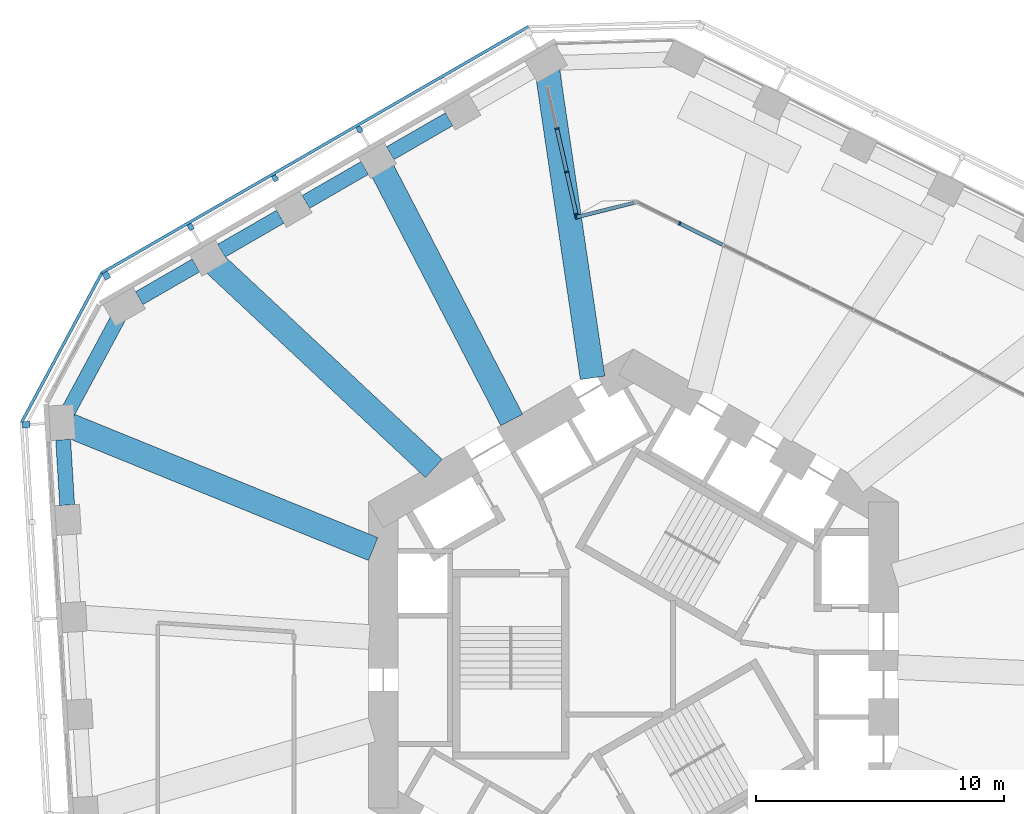
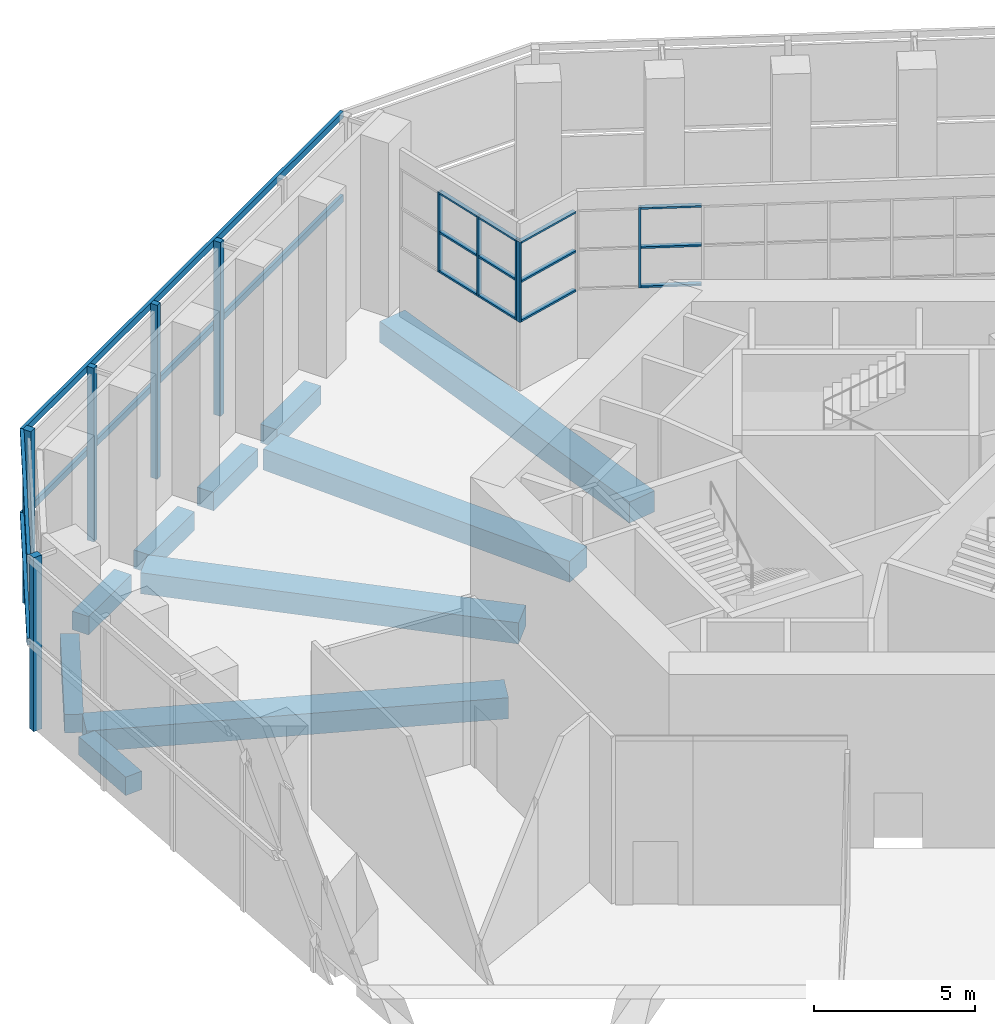
# One storey, part 3 of 17: 26 members, 10 beams, 6 elements without a shape of their own.
"""IFC4 building model written with IfcOpenShell, lengths in metres."""

from ifc_helpers import new_model, si_unit, direction, frame, origin, origin_2d, place, context, subcontext, project, spatial, rectangle, extrude, material, material_profile, profile_set, type_object, element, aggregate, save


model = new_model("IFC4")

# Units and contexts
model_context = context("Model", 3, precision=1e-05, world=origin(), true_north=direction((0.0, 1.0)))
body_context = subcontext(model_context, "Body", "Model", "MODEL_VIEW")
ifc_project = project(units=[si_unit("LENGTHUNIT", "METRE"), si_unit("AREAUNIT", "SQUARE_METRE"), si_unit("VOLUMEUNIT", "CUBIC_METRE"), si_unit("PLANEANGLEUNIT", "RADIAN"), si_unit("MASSUNIT", "GRAM", prefix="KILO")], contexts=[model_context])

# Site, building, storey
site_placement = place(None, origin())
site = spatial("IfcSite", under=ifc_project, at=site_placement, CompositionType="ELEMENT")
building_placement = place(site_placement, origin())
building = spatial("IfcBuilding", under=site, at=building_placement, Name="Vanh Sen Convention Tower", CompositionType="ELEMENT")
storey_placement = place(building_placement, frame((0.0, 0.0, 77.0)))
storey = spatial("IfcBuildingStorey", under=building, at=storey_placement, Name="L17", CompositionType="ELEMENT", Elevation=77.0)

# Curtain wall, members
ifc_material_1 = material(Name="Aluminium structural glazing system", Category="aluminium")
curtain_wall_type_1 = type_object("IfcCurtainWallType", Name="Sky garden structural glazing", PredefinedType="NOTDEFINED", material=ifc_material_1)
curtain_wall_1_placement = place(storey_placement, origin())
curtain_wall_1 = element("IfcCurtainWall", 1, at=curtain_wall_1_placement, inside=storey, type_object=curtain_wall_type_1, Name="Winter garden glazing 1 L17", PredefinedType="NOTDEFINED")
ifc_material_2 = material(Name="Aluminium mullion", Category="aluminium")
ifc_material_profile_1 = material_profile(ifc_material_2, rectangle(XDim=0.14990234375, YDim=0.070068359375, at=origin_2d()), Name="Garden glazing mullion 70 x 150")
ifc_profile_set_1 = profile_set([ifc_material_profile_1], Name="Aluminium mullion")
member_type_1 = type_object("IfcMemberType", Name="Garden glazing mullion 70 x 150", PredefinedType="MULLION", material=ifc_profile_set_1)
member_1_placement = place(storey_placement, frame((-3.086669921875, 21.24609375, 2.60009765625), z_axis=(0.0, 0.0, 1.0), x_axis=(0.975399237411, 0.220445747654, 0.0)))
member_1 = element("IfcMember", 2, at=member_1_placement, type_object=member_type_1, Name="CW5 mullion 2", PredefinedType="MULLION", context=body_context, shape_type="SweptSolid", body=[
    extrude(rectangle(XDim=0.14990234375, YDim=0.070068359375, at=origin_2d()), origin(), (0.0, 0.0, 1.0), 3.0498046875),
])
member_2_placement = place(storey_placement, frame((-2.692626953125, 19.502685546875, 2.60009765625), z_axis=(0.0, 0.0, 1.0), x_axis=(0.975399237411, 0.220445747654, 0.0)))
member_2 = element("IfcMember", 3, at=member_2_placement, type_object=member_type_1, Name="CW5 mullion 3", PredefinedType="MULLION", context=body_context, shape_type="SweptSolid", body=[
    extrude(rectangle(XDim=0.14990234375, YDim=0.070068359375, at=origin_2d()), origin(), (0.0, 0.0, 1.0), 3.0498046875),
])
member_3_placement = place(storey_placement, frame((-2.30615234375, 17.79345703125, 2.60009765625), z_axis=(0.0, 0.0, 1.0), x_axis=(0.975399237411, 0.220445747654, 0.0)))
member_3 = element("IfcMember", 4, at=member_3_placement, type_object=member_type_1, Name="CW5 mullion 4", PredefinedType="MULLION", context=body_context, shape_type="SweptSolid", body=[
    extrude(rectangle(XDim=0.14990234375, YDim=0.070068359375, at=origin_2d()), origin(), (0.0, 0.0, 1.0), 3.0498046875),
])

# Curtain wall, member
curtain_wall_2_placement = place(storey_placement, origin())
curtain_wall_2 = element("IfcCurtainWall", 5, at=curtain_wall_2_placement, inside=storey, type_object=curtain_wall_type_1, Name="Winter garden glazing 2 L17", PredefinedType="NOTDEFINED")
member_4_placement = place(storey_placement, frame((-2.317138671875, 17.667724609375, 2.60009765625), z_axis=(0.0, 0.0, 1.0), x_axis=(-0.243834843024, 0.969816771007, 0.0)))
member_4 = element("IfcMember", 6, at=member_4_placement, type_object=member_type_1, Name="CW5 mullion 1", PredefinedType="MULLION", context=body_context, shape_type="SweptSolid", body=[
    extrude(rectangle(XDim=0.14990234375, YDim=0.070068359375, at=origin_2d()), origin(), (0.0, 0.0, 1.0), 3.0498046875),
])

curtain_wall_3_placement = place(storey_placement, origin())
curtain_wall_3 = element("IfcCurtainWall", 7, at=curtain_wall_3_placement, inside=storey, type_object=curtain_wall_type_1, Name="Winter garden glazing 3 L17", PredefinedType="NOTDEFINED")
member_5_placement = place(storey_placement, frame((1.868408203125, 17.421875, 2.60009765625), z_axis=(0.0, 0.0, 1.0), x_axis=(0.446203047714, 0.894931751706, 0.0)))
member_5 = element("IfcMember", 8, at=member_5_placement, type_object=member_type_1, Name="CW5 mullion 2", PredefinedType="MULLION", context=body_context, shape_type="SweptSolid", body=[
    extrude(rectangle(XDim=0.14990234375, YDim=0.070068359375, at=origin_2d()), origin(), (0.0, 0.0, 1.0), 3.0498046875),
])

# Member
ifc_material_3 = material(Name="Aluminium transom", Category="aluminium")
ifc_material_profile_2 = material_profile(ifc_material_3, rectangle(XDim=0.14990234375, YDim=0.070068359375, at=origin_2d()), Name="Garden glazing transom 150 x 70")
ifc_profile_set_2 = profile_set([ifc_material_profile_2], Name="Aluminium transom")
member_type_2 = type_object("IfcMemberType", Name="Garden glazing transom 150 x 70", PredefinedType="USERDEFINED", material=ifc_profile_set_2)
member_6_placement = place(storey_placement, frame((-3.078857421875, 21.2119140625, 2.635009765625), z_axis=(0.220496491418, -0.975387767645, 0.0), x_axis=(0.975387767645, 0.220496491418, 0.0)))
member_6 = element("IfcMember", 9, at=member_6_placement, type_object=member_type_2, Name="CW5 transom 2.1", ObjectType="TRANSOM", PredefinedType="USERDEFINED", context=body_context, shape_type="SweptSolid", body=[
    extrude(rectangle(XDim=0.14990234375, YDim=0.070068359375, at=origin_2d()), origin(), (0.0, 0.0, 1.0), 1.71728515625),
])

member_7_placement = place(storey_placement, frame((-3.078857421875, 21.2119140625, 4.125), z_axis=(0.220496491418, -0.975387767645, 0.0), x_axis=(0.975387767645, 0.220496491418, 0.0)))
member_7 = element("IfcMember", 10, at=member_7_placement, type_object=member_type_2, Name="CW5 transom 2.2", ObjectType="TRANSOM", PredefinedType="USERDEFINED", context=body_context, shape_type="SweptSolid", body=[
    extrude(rectangle(XDim=0.14990234375, YDim=0.070068359375, at=origin_2d()), origin(), (0.0, 0.0, 1.0), 1.71728515625),
])

member_8_placement = place(storey_placement, frame((-3.078857421875, 21.2119140625, 5.614990234375), z_axis=(0.220496491418, -0.975387767645, 0.0), x_axis=(0.975387767645, 0.220496491418, 0.0)))
member_8 = element("IfcMember", 11, at=member_8_placement, type_object=member_type_2, Name="CW5 transom 2.3", ObjectType="TRANSOM", PredefinedType="USERDEFINED", context=body_context, shape_type="SweptSolid", body=[
    extrude(rectangle(XDim=0.14990234375, YDim=0.070068359375, at=origin_2d()), origin(), (0.0, 0.0, 1.0), 1.71728515625),
])

member_9_placement = place(storey_placement, frame((-2.684814453125, 19.468505859375, 2.635009765625), z_axis=(0.220416750341, -0.975405790514, 0.0), x_axis=(0.975405790514, 0.220416750341, 0.0)))
member_9 = element("IfcMember", 12, at=member_9_placement, type_object=member_type_2, Name="CW5 transom 3.1", ObjectType="TRANSOM", PredefinedType="USERDEFINED", context=body_context, shape_type="SweptSolid", body=[
    extrude(rectangle(XDim=0.14990234375, YDim=0.070068359375, at=origin_2d()), origin(), (0.0, 0.0, 1.0), 1.682373046875),
])

member_10_placement = place(storey_placement, frame((-2.684814453125, 19.468505859375, 4.125), z_axis=(0.220416750341, -0.975405790514, 0.0), x_axis=(0.975405790514, 0.220416750341, 0.0)))
member_10 = element("IfcMember", 13, at=member_10_placement, type_object=member_type_2, Name="CW5 transom 3.2", ObjectType="TRANSOM", PredefinedType="USERDEFINED", context=body_context, shape_type="SweptSolid", body=[
    extrude(rectangle(XDim=0.14990234375, YDim=0.070068359375, at=origin_2d()), origin(), (0.0, 0.0, 1.0), 1.682373046875),
])

member_11_placement = place(storey_placement, frame((-2.684814453125, 19.468505859375, 5.614990234375), z_axis=(0.220416750341, -0.975405790514, 0.0), x_axis=(0.975405790514, 0.220416750341, 0.0)))
member_11 = element("IfcMember", 14, at=member_11_placement, type_object=member_type_2, Name="CW5 transom 3.3", ObjectType="TRANSOM", PredefinedType="USERDEFINED", context=body_context, shape_type="SweptSolid", body=[
    extrude(rectangle(XDim=0.14990234375, YDim=0.070068359375, at=origin_2d()), origin(), (0.0, 0.0, 1.0), 1.682373046875),
])

aggregate(curtain_wall_1, [member_1, member_2, member_3, member_6, member_7, member_8, member_9, member_10, member_11])

member_12_placement = place(storey_placement, frame((-2.283203125, 17.67626953125, 2.635009765625), z_axis=(0.969812838057, 0.243850485215, 0.0), x_axis=(-0.243850485215, 0.969812838057, 0.0)))
member_12 = element("IfcMember", 15, at=member_12_placement, type_object=member_type_2, Name="CW5 transom 1.1", ObjectType="TRANSOM", PredefinedType="USERDEFINED", context=body_context, shape_type="SweptSolid", body=[
    extrude(rectangle(XDim=0.14990234375, YDim=0.070068359375, at=origin_2d()), origin(), (0.0, 0.0, 1.0), 2.35888671875),
])

member_13_placement = place(storey_placement, frame((-2.283203125, 17.67626953125, 4.125), z_axis=(0.969812838057, 0.243850485215, 0.0), x_axis=(-0.243850485215, 0.969812838057, 0.0)))
member_13 = element("IfcMember", 16, at=member_13_placement, type_object=member_type_2, Name="CW5 transom 1.2", ObjectType="TRANSOM", PredefinedType="USERDEFINED", context=body_context, shape_type="SweptSolid", body=[
    extrude(rectangle(XDim=0.14990234375, YDim=0.070068359375, at=origin_2d()), origin(), (0.0, 0.0, 1.0), 2.35888671875),
])

member_14_placement = place(storey_placement, frame((-2.283203125, 17.67626953125, 5.614990234375), z_axis=(0.969812838057, 0.243850485215, 0.0), x_axis=(-0.243850485215, 0.969812838057, 0.0)))
member_14 = element("IfcMember", 17, at=member_14_placement, type_object=member_type_2, Name="CW5 transom 1.3", ObjectType="TRANSOM", PredefinedType="USERDEFINED", context=body_context, shape_type="SweptSolid", body=[
    extrude(rectangle(XDim=0.14990234375, YDim=0.070068359375, at=origin_2d()), origin(), (0.0, 0.0, 1.0), 2.35888671875),
])

aggregate(curtain_wall_2, [member_4, member_12, member_13, member_14])

member_15_placement = place(storey_placement, frame((1.899658203125, 17.40625, 2.635009765625), z_axis=(0.894942709965, -0.446181068492, 0.0), x_axis=(0.446181068492, 0.894942709965, 0.0)))
member_15 = element("IfcMember", 18, at=member_15_placement, type_object=member_type_2, Name="CW5 transom 2.1", ObjectType="TRANSOM", PredefinedType="USERDEFINED", context=body_context, shape_type="SweptSolid", body=[
    extrude(rectangle(XDim=0.14990234375, YDim=0.070068359375, at=origin_2d()), origin(), (0.0, 0.0, 1.0), 1.89208984375),
])

member_16_placement = place(storey_placement, frame((1.899658203125, 17.40625, 4.125), z_axis=(0.894942709965, -0.446181068492, 0.0), x_axis=(0.446181068492, 0.894942709965, 0.0)))
member_16 = element("IfcMember", 19, at=member_16_placement, type_object=member_type_2, Name="CW5 transom 2.2", ObjectType="TRANSOM", PredefinedType="USERDEFINED", context=body_context, shape_type="SweptSolid", body=[
    extrude(rectangle(XDim=0.14990234375, YDim=0.070068359375, at=origin_2d()), origin(), (0.0, 0.0, 1.0), 1.89208984375),
])

member_17_placement = place(storey_placement, frame((1.899658203125, 17.40625, 5.614990234375), z_axis=(0.894942709965, -0.446181068492, 0.0), x_axis=(0.446181068492, 0.894942709965, 0.0)))
member_17 = element("IfcMember", 20, at=member_17_placement, type_object=member_type_2, Name="CW5 transom 2.3", ObjectType="TRANSOM", PredefinedType="USERDEFINED", context=body_context, shape_type="SweptSolid", body=[
    extrude(rectangle(XDim=0.14990234375, YDim=0.070068359375, at=origin_2d()), origin(), (0.0, 0.0, 1.0), 1.89208984375),
])

aggregate(curtain_wall_3, [member_5, member_15, member_16, member_17])

# Curtain wall, member
ifc_material_4 = material(Name="Concrete C50/60", Category="concrete")
curtain_wall_type_2 = type_object("IfcCurtainWallType", Name="Outer skin hotel zone", PredefinedType="NOTDEFINED", material=ifc_material_4)
curtain_wall_4_placement = place(storey_placement, origin())
curtain_wall_4 = element("IfcCurtainWall", 21, at=curtain_wall_4_placement, inside=storey, type_object=curtain_wall_type_2, Name="OUTER SKIN NW L17", PredefinedType="NOTDEFINED")
ifc_material_profile_3 = material_profile(ifc_material_4, rectangle(XDim=0.25, YDim=0.300048828125, at=origin_2d()), Name="Outer skin precast corner fin 250 x 300")
ifc_profile_set_3 = profile_set([ifc_material_profile_3], Name="Concrete C50/60")
member_type_3 = type_object("IfcMemberType", Name="Outer skin precast corner fin 250 x 300", PredefinedType="MULLION", material=ifc_profile_set_3)
member_18_placement = place(storey_placement, frame((-21.2802734375, 15.31103515625, 0.0), z_axis=(0.0, 0.0, 1.0), x_axis=(-0.866025403784, -0.5, 0.0)))
member_18 = element("IfcMember", 22, at=member_18_placement, type_object=member_type_3, Name="OUTER SKIN CORNER FIN 6 NW L17", PredefinedType="MULLION", context=body_context, shape_type="SweptSolid", body=[
    extrude(rectangle(XDim=0.25, YDim=0.300048828125, at=origin_2d()), origin(), (0.0, 0.0, 1.0), 6.60009765625),
])

curtain_wall_5_placement = place(storey_placement, origin())
curtain_wall_5 = element("IfcCurtainWall", 23, at=curtain_wall_5_placement, inside=storey, type_object=curtain_wall_type_2, Name="OUTER SKIN W L17", PredefinedType="NOTDEFINED")
member_19_placement = place(storey_placement, frame((-24.51318359375, 9.294677734375, 0.0), z_axis=(0.0, 0.0, 1.0), x_axis=(0.061048539535, -0.998134798422, 0.0)))
member_19 = element("IfcMember", 24, at=member_19_placement, type_object=member_type_3, Name="OUTER SKIN CORNER FIN 1 W L17", PredefinedType="MULLION", context=body_context, shape_type="SweptSolid", body=[
    extrude(rectangle(XDim=0.25, YDim=0.300048828125, at=origin_2d()), origin(), (0.0, 0.0, 1.0), 6.60009765625),
])
aggregate(curtain_wall_5, [member_19])

# Member
ifc_material_profile_4 = material_profile(ifc_material_4, rectangle(XDim=0.199951171875, YDim=0.25, at=origin_2d()), Name="Outer skin precast fin 200 x 250")
ifc_profile_set_4 = profile_set([ifc_material_profile_4], Name="Concrete C50/60")
member_type_4 = type_object("IfcMemberType", Name="Outer skin precast fin 200 x 250", PredefinedType="MULLION", material=ifc_profile_set_4)
member_20_placement = place(storey_placement, frame((-11.057861328125, 21.212890625, 0.0), z_axis=(0.0, 0.0, 1.0), x_axis=(-0.866025403784, -0.5, 0.0)))
member_20 = element("IfcMember", 25, at=member_20_placement, type_object=member_type_4, Name="OUTER SKIN fin 3 NW L17", PredefinedType="MULLION", context=body_context, shape_type="SweptSolid", body=[
    extrude(rectangle(XDim=0.199951171875, YDim=0.25, at=origin_2d()), origin(), (0.0, 0.0, 1.0), 6.60009765625),
])

member_21_placement = place(storey_placement, frame((-14.46533203125, 19.24560546875, 0.0), z_axis=(0.0, 0.0, 1.0), x_axis=(-0.866025403784, -0.5, 0.0)))
member_21 = element("IfcMember", 26, at=member_21_placement, type_object=member_type_4, Name="OUTER SKIN fin 4 NW L17", PredefinedType="MULLION", context=body_context, shape_type="SweptSolid", body=[
    extrude(rectangle(XDim=0.199951171875, YDim=0.25, at=origin_2d()), origin(), (0.0, 0.0, 1.0), 6.60009765625),
])

member_22_placement = place(storey_placement, frame((-17.872802734375, 17.2783203125, 0.0), z_axis=(0.0, 0.0, 1.0), x_axis=(-0.866025403784, -0.5, 0.0)))
member_22 = element("IfcMember", 27, at=member_22_placement, type_object=member_type_4, Name="OUTER SKIN fin 5 NW L17", PredefinedType="MULLION", context=body_context, shape_type="SweptSolid", body=[
    extrude(rectangle(XDim=0.199951171875, YDim=0.25, at=origin_2d()), origin(), (0.0, 0.0, 1.0), 6.60009765625),
])

ifc_material_profile_5 = material_profile(ifc_material_4, rectangle(XDim=0.1201171875, YDim=0.25, at=origin_2d()), Name="Outer skin precast spandrel band 250 x 120")
ifc_profile_set_5 = profile_set([ifc_material_profile_5], Name="Concrete C50/60")
member_type_5 = type_object("IfcMemberType", Name="Outer skin precast spandrel band 250 x 120", PredefinedType="USERDEFINED", material=ifc_profile_set_5)
member_23_placement = place(storey_placement, frame((-4.227294921875, 25.370361328125, 6.47509765625), z_axis=(-0.866028047459, -0.499995420993, 0.0), x_axis=(0.499995420993, -0.866028047459, 0.0)))
member_23 = element("IfcMember", 28, at=member_23_placement, type_object=member_type_5, Name="OUTER SKIN spandrel band NW L17", ObjectType="TRANSOM", PredefinedType="USERDEFINED", context=body_context, shape_type="SweptSolid", body=[
    extrude(rectangle(XDim=0.1201171875, YDim=0.25, at=origin_2d()), origin(), (0.0, 0.0, 1.0), 19.923095703125),
])

member_24_placement = place(storey_placement, frame((-4.227294921875, 25.370361328125, 3.300048828125), z_axis=(-0.866028047459, -0.499995420993, 0.0), x_axis=(0.499995420993, -0.866028047459, 0.0)))
member_24 = element("IfcMember", 29, at=member_24_placement, type_object=member_type_5, Name="OUTER SKIN spandrel band NW L17 mid", ObjectType="TRANSOM", PredefinedType="USERDEFINED", context=body_context, shape_type="SweptSolid", body=[
    extrude(rectangle(XDim=0.1201171875, YDim=0.25, at=origin_2d()), origin(), (0.0, 0.0, 1.0), 19.923095703125),
])

aggregate(curtain_wall_4, [member_20, member_21, member_22, member_18, member_23, member_24])

# Curtain wall, members
curtain_wall_6_placement = place(storey_placement, origin())
curtain_wall_6 = element("IfcCurtainWall", 30, at=curtain_wall_6_placement, inside=storey, type_object=curtain_wall_type_2, Name="OUTER SKIN CH3 L17", PredefinedType="NOTDEFINED")
member_25_placement = place(storey_placement, frame((-21.46533203125, 15.410400390625, 6.47509765625), z_axis=(-0.473315186561, -0.880893145717, 0.0), x_axis=(0.880893145717, -0.473315186561, 0.0)))
member_25 = element("IfcMember", 31, at=member_25_placement, type_object=member_type_5, Name="OUTER SKIN spandrel band CH3 L17", ObjectType="TRANSOM", PredefinedType="USERDEFINED", context=body_context, shape_type="SweptSolid", body=[
    extrude(rectangle(XDim=0.1201171875, YDim=0.25, at=origin_2d()), origin(), (0.0, 0.0, 1.0), 6.829833984375),
])
member_26_placement = place(storey_placement, frame((-21.46533203125, 15.410400390625, 3.300048828125), z_axis=(-0.473315186561, -0.880893145717, 0.0), x_axis=(0.880893145717, -0.473315186561, 0.0)))
member_26 = element("IfcMember", 32, at=member_26_placement, type_object=member_type_5, Name="OUTER SKIN spandrel band CH3 L17 mid", ObjectType="TRANSOM", PredefinedType="USERDEFINED", context=body_context, shape_type="SweptSolid", body=[
    extrude(rectangle(XDim=0.1201171875, YDim=0.25, at=origin_2d()), origin(), (0.0, 0.0, 1.0), 6.829833984375),
])
aggregate(curtain_wall_6, [member_25, member_26])

# Beams
ifc_material_5 = material(Name="Concrete C50/60", Category="concrete")
ifc_material_profile_6 = material_profile(ifc_material_5, rectangle(XDim=1.0, YDim=0.800048828125, at=origin_2d()), Name="RC 1000X800")
ifc_profile_set_6 = profile_set([ifc_material_profile_6], Name="Concrete C50/60")
beam_type_1 = type_object("IfcBeamType", Name="Radial floor beam 1000 x 800", PredefinedType="BEAM", material=ifc_profile_set_6)
beam_1_placement = place(storey_placement, frame((-3.46923828125, 23.560791015625, -0.75), z_axis=(0.145669310946, -0.989333337075, 0.0), x_axis=(0.989333337075, 0.145669310946, 0.0)))
element("IfcBeam", 33, at=beam_1_placement, inside=storey, type_object=beam_type_1, Name="Radial beam 07 L17", PredefinedType="BEAM", context=body_context, shape_type="SweptSolid", body=[
    extrude(rectangle(XDim=1.0, YDim=0.800048828125, at=origin_2d()), origin(), (0.0, 0.0, 1.0), 12.5078125),
])
beam_2_placement = place(storey_placement, frame((-10.115478515625, 19.53759765625, -0.75), z_axis=(0.459758563435, -0.8880439535, 0.0), x_axis=(0.8880439535, 0.459758563435, 0.0)))
element("IfcBeam", 34, at=beam_2_placement, inside=storey, type_object=beam_type_1, Name="Radial beam 08 L17", PredefinedType="BEAM", context=body_context, shape_type="SweptSolid", body=[
    extrude(rectangle(XDim=1.0, YDim=0.800048828125, at=origin_2d()), origin(), (0.0, 0.0, 1.0), 11.317626953125),
])
beam_3_placement = place(storey_placement, frame((-16.880859375, 15.773193359375, -0.75), z_axis=(0.730669888391, -0.682730923717, 0.0), x_axis=(0.682730923717, 0.730669888391, 0.0)))
element("IfcBeam", 35, at=beam_3_placement, inside=storey, type_object=beam_type_1, Name="Radial beam 09 L17", PredefinedType="BEAM", context=body_context, shape_type="SweptSolid", body=[
    extrude(rectangle(XDim=1.0, YDim=0.800048828125, at=origin_2d()), origin(), (0.0, 0.0, 1.0), 12.074951171875),
])
beam_4_placement = place(storey_placement, frame((-22.779052734375, 9.266357421875, -0.75), z_axis=(0.926290168233, -0.376810992719, 0.0), x_axis=(0.376810992719, 0.926290168233, 0.0)))
element("IfcBeam", 36, at=beam_4_placement, inside=storey, type_object=beam_type_1, Name="Radial beam 10 L17", PredefinedType="BEAM", context=body_context, shape_type="SweptSolid", body=[
    extrude(rectangle(XDim=1.0, YDim=0.800048828125, at=origin_2d()), origin(), (0.0, 0.0, 1.0), 13.24853515625),
])
ifc_material_profile_7 = material_profile(ifc_material_5, rectangle(XDim=0.60009765625, YDim=0.699951171875, at=origin_2d()), Name="RC 600X700")
ifc_profile_set_7 = profile_set([ifc_material_profile_7], Name="Concrete C50/60")
beam_type_2 = type_object("IfcBeamType", Name="Spandrel beam 600 x 700", PredefinedType="SPANDREL", material=ifc_profile_set_7)
beam_5_placement = place(storey_placement, frame((-7.44091796875, 21.627197265625, -0.699951171875), z_axis=(-0.866006330792, -0.500033033937, 0.0), x_axis=(0.500033033937, -0.866006330792, 0.0)))
element("IfcBeam", 37, at=beam_5_placement, inside=storey, type_object=beam_type_2, Name="Spandrel beam 14 L17", PredefinedType="SPANDREL", context=body_context, shape_type="SweptSolid", body=[
    extrude(rectangle(XDim=0.60009765625, YDim=0.699951171875, at=origin_2d()), origin(), (0.0, 0.0, 1.0), 2.744384765625),
])
for number, where, z_axis, x_axis, name in (
    (38, (-10.84814453125, 19.659912109375, -0.699951171875), (-0.866028570666, -0.499994514761, 0.0), (0.499994514761, -0.866028570666, 0.0), "Spandrel beam 15 L17"),
    (39, (-14.255615234375, 17.6923828125, -0.699951171875), (-0.866067086513, -0.499927796446, 0.0), (0.499927796446, -0.866067086513, 0.0), "Spandrel beam 16 L17"),
):
    element("IfcBeam", number, at=place(storey_placement, frame(where, z_axis=z_axis, x_axis=x_axis)), inside=storey, type_object=beam_type_2, Name=name, PredefinedType="SPANDREL", context=body_context, shape_type="SweptSolid", body=[
        extrude(rectangle(XDim=0.60009765625, YDim=0.699951171875, at=origin_2d()), origin(), (0.0, 0.0, 1.0), 2.74462890625),
    ])
beam_6_placement = place(storey_placement, frame((-17.6630859375, 15.72509765625, -0.699951171875), z_axis=(-0.866030315638, -0.499991492324, 0.0), x_axis=(0.499991492324, -0.866030315638, 0.0)))
element("IfcBeam", 40, at=beam_6_placement, inside=storey, type_object=beam_type_2, Name="Spandrel beam 17 L17", PredefinedType="SPANDREL", context=body_context, shape_type="SweptSolid", body=[
    extrude(rectangle(XDim=0.60009765625, YDim=0.699951171875, at=origin_2d()), origin(), (0.0, 0.0, 1.0), 2.64453125),
])
beam_7_placement = place(storey_placement, frame((-20.773193359375, 13.64990234375, -0.699951171875), z_axis=(-0.473309149957, -0.880896389235, 0.0), x_axis=(0.880896389235, -0.473309149957, 0.0)))
element("IfcBeam", 41, at=beam_7_placement, inside=storey, type_object=beam_type_2, Name="Spandrel beam 18 L17", PredefinedType="SPANDREL", context=body_context, shape_type="SweptSolid", body=[
    extrude(rectangle(XDim=0.60009765625, YDim=0.699951171875, at=origin_2d()), origin(), (0.0, 0.0, 1.0), 4.38330078125),
])
beam_8_placement = place(storey_placement, frame((-23.0234375, 8.689453125, -0.699951171875), z_axis=(0.061113817246, -0.998130803723, 0.0), x_axis=(0.998130803723, 0.061113817246, 0.0)))
element("IfcBeam", 42, at=beam_8_placement, inside=storey, type_object=beam_type_2, Name="Spandrel beam 19 L17", PredefinedType="SPANDREL", context=body_context, shape_type="SweptSolid", body=[
    extrude(rectangle(XDim=0.60009765625, YDim=0.699951171875, at=origin_2d()), origin(), (0.0, 0.0, 1.0), 2.64453125),
])

save(model, "model.ifc")
